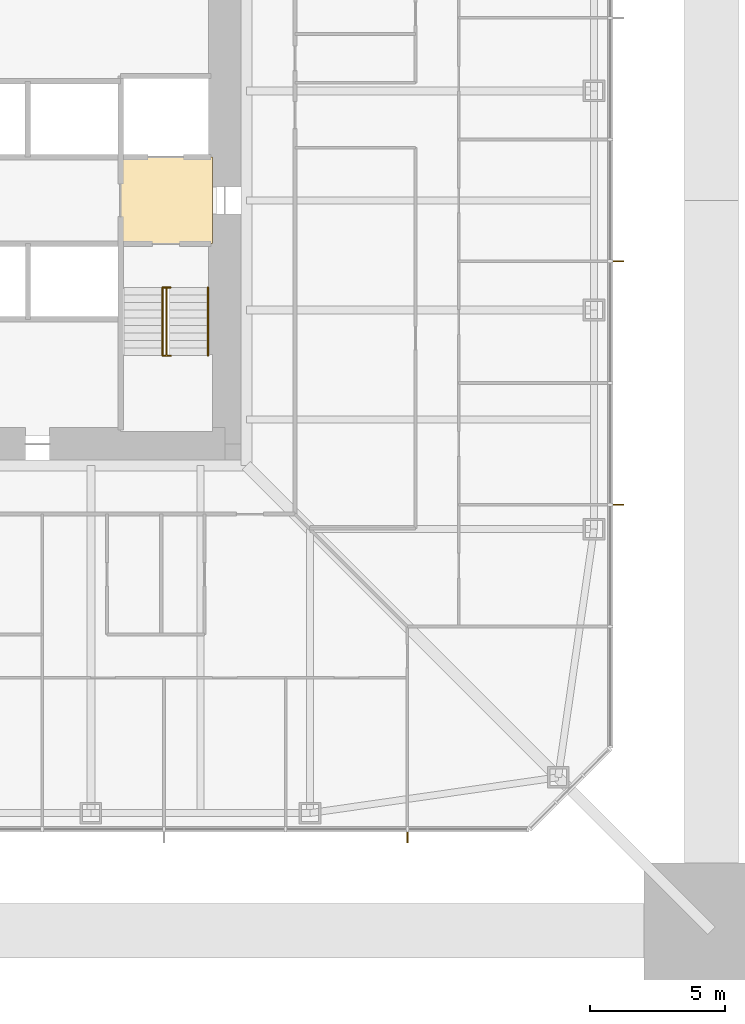
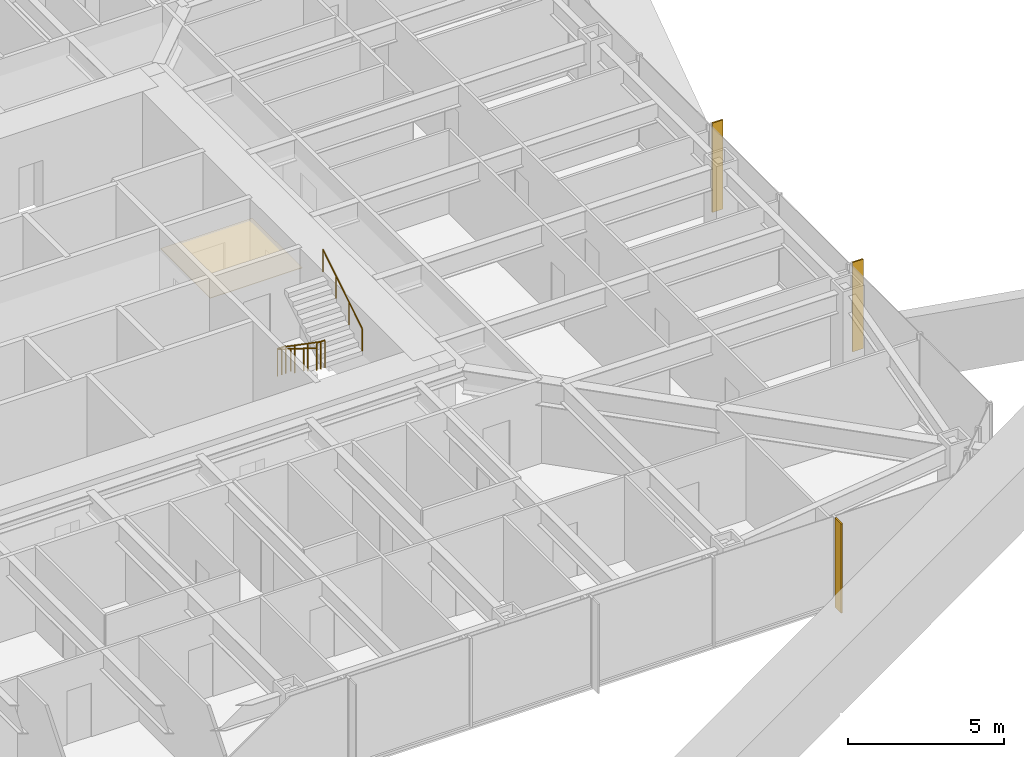
# One storey, part 26 of 28: 3 railings, 3 shading devices, 1 covering.
"""IFC4 building model written with IfcOpenShell, lengths in metres."""

import ifcopenshell
import ifcopenshell.guid

model = None  # the IFC model being written
_history = None  # IfcOwnerHistory: only IFC2X3 demands one
_inside = {}  # id of a spatial element -> (the spatial element, [elements in it])
_under = {}  # id of a project, library or spatial element -> (it, [spatial elements below it])
_declared = {}  # id of a project -> (the project, [libraries it declares])
_typed = {}  # id of a type object -> (the type object, [elements of that type])
_made_of = {}  # id of a material, layer set ... -> (it, [elements and type objects made of it])


def new_model(schema):
    """Start an empty IFC model of exactly this schema.

    Asked for "IFC4X3", IfcOpenShell would pick the latest addendum, in which some entities
    have other attributes; the version numbers below select the first issue.
    IFC2X3 requires an IfcOwnerHistory on every rooted entity: one is made here for all.
    """
    global model, _history
    if schema == "IFC4X3":
        model = ifcopenshell.file(schema_version=(4, 3, 0, 0))
    else:
        model = ifcopenshell.file(schema=schema)
    _inside.clear()
    _under.clear()
    _declared.clear()
    _typed.clear()
    _made_of.clear()
    _history = None
    if model.schema == "IFC2X3":
        org = make("IfcOrganization", Name="unknown")
        user = make(
            "IfcPersonAndOrganization",
            ThePerson=make("IfcPerson", FamilyName="unknown"),
            TheOrganization=org,
        )
        app = make(
            "IfcApplication",
            ApplicationDeveloper=org,
            Version="unknown",
            ApplicationFullName="unknown",
            ApplicationIdentifier="unknown",
        )
        _history = make(
            "IfcOwnerHistory",
            OwningUser=user,
            OwningApplication=app,
            ChangeAction="ADDED",
            CreationDate=0,
        )
    return model


def make(cls, **values):
    """One entity of the class cls with the attributes given. An attribute that is None is left unset."""
    return model.create_entity(
        cls, **{name: value for name, value in values.items() if value is not None}
    )


def rooted(cls, **values):
    """An entity with a GlobalId (a new one), such as an element, a storey or a relation."""
    return make(cls, GlobalId=ifcopenshell.guid.new(), OwnerHistory=_history, **values)


def si_unit(unit_type, name, prefix=None):
    """IfcSIUnit, for example si_unit("LENGTHUNIT", "METRE", prefix="MILLI")."""
    return make("IfcSIUnit", UnitType=unit_type, Prefix=prefix, Name=name)


def assignment(units):
    """IfcUnitAssignment: the units of a project."""
    return None if units is None else make("IfcUnitAssignment", Units=units)


def point(xyz):
    """IfcCartesianPoint."""
    return None if xyz is None else make("IfcCartesianPoint", Coordinates=xyz)


def direction(xyz):
    """IfcDirection."""
    return None if xyz is None else make("IfcDirection", DirectionRatios=xyz)


def frame(location, z_axis=None, x_axis=None):
    """IfcAxis2Placement3D, a coordinate frame: its origin and axes. An axis left out is left unset."""
    return make(
        "IfcAxis2Placement3D",
        Location=point(location),
        Axis=direction(z_axis),
        RefDirection=direction(x_axis),
    )


def frame_2d(location, x_axis=None):
    """IfcAxis2Placement2D, a coordinate frame in the plane: its origin and x axis."""
    return make(
        "IfcAxis2Placement2D", Location=point(location), RefDirection=direction(x_axis)
    )


def origin():
    """The frame at (0, 0, 0) with its axes left unset."""
    return frame((0.0, 0.0, 0.0))


def origin_2d():
    """The frame at (0, 0) in the plane with its x axis left unset."""
    return frame_2d((0.0, 0.0))


def place(relative_to, where):
    """IfcLocalPlacement: puts the frame where relative to a parent placement (None: the world)."""
    return make(
        "IfcLocalPlacement", PlacementRelTo=relative_to, RelativePlacement=where
    )


def context(
    kind, dimensions, precision=None, world=None, true_north=None, identifier=None
):
    """IfcGeometricRepresentationContext, for example the 3D "Model" context."""
    return make(
        "IfcGeometricRepresentationContext",
        ContextIdentifier=identifier,
        ContextType=kind,
        CoordinateSpaceDimension=dimensions,
        Precision=precision,
        WorldCoordinateSystem=world,
        TrueNorth=true_north,
    )


def subcontext(parent, identifier, kind, view, scale=None):
    """IfcGeometricRepresentationSubContext, for example "Body" below "Model"."""
    return make(
        "IfcGeometricRepresentationSubContext",
        ContextIdentifier=identifier,
        ContextType=kind,
        ParentContext=parent,
        TargetScale=scale,
        TargetView=view,
    )


def project(units=None, contexts=None):
    """IfcProject with its units and contexts."""
    return rooted(
        "IfcProject",
        Name="project",
        RepresentationContexts=contexts,
        UnitsInContext=assignment(units),
    )


def spatial(cls, under=None, at=None, **own):
    """A site, building, storey or space (cls), placed at a placement, below another one or the project."""
    s = rooted(cls, ObjectPlacement=at, **own)
    if under is not None:
        _under.setdefault(under.id(), (under, []))[1].append(s)
    return s


def polyline(points):
    """IfcPolyline through the points."""
    return make("IfcPolyline", Points=[point(p) for p in points])


def profile(cls, at=None, kind="AREA", **sizes):
    """A parametric profile (cls). Its sizes go by their IFC names, for example OverallWidth=200.0."""
    return make(cls, ProfileType=kind, Position=at, **sizes)


def rectangle(**sizes):
    """IfcRectangleProfileDef."""
    return profile("IfcRectangleProfileDef", **sizes)


def circle(**sizes):
    """IfcCircleProfileDef."""
    return profile("IfcCircleProfileDef", **sizes)


def outline(outer, holes=None, kind="AREA"):
    """IfcArbitraryClosedProfileDef: a profile drawn as a closed curve; with holes, ...WithVoids."""
    if holes is None:
        return make("IfcArbitraryClosedProfileDef", ProfileType=kind, OuterCurve=outer)
    return make(
        "IfcArbitraryProfileDefWithVoids",
        ProfileType=kind,
        OuterCurve=outer,
        InnerCurves=holes,
    )


def extrude(swept, where, along, depth):
    """IfcExtrudedAreaSolid: the profile swept, set in the frame where, extruded along a direction by depth."""
    return make(
        "IfcExtrudedAreaSolid",
        SweptArea=swept,
        Position=where,
        ExtrudedDirection=direction(along),
        Depth=depth,
    )


def shape(context_of_items, identifier, shape_type, items):
    """IfcShapeRepresentation: the items that make up one representation, for example the "Body"."""
    return make(
        "IfcShapeRepresentation",
        ContextOfItems=context_of_items,
        RepresentationIdentifier=identifier,
        RepresentationType=shape_type,
        Items=items,
    )


def material(Name=None, Category=None):
    """IfcMaterial."""
    return make("IfcMaterial", Name=Name, Category=Category)


def layer(
    of_material, thickness, ventilated=None, Name=None, Category=None, Priority=None
):
    """IfcMaterialLayer: one layer of a wall or slab, of a material (None: an air gap)."""
    return make(
        "IfcMaterialLayer",
        Material=of_material,
        LayerThickness=thickness,
        IsVentilated=ventilated,
        Name=Name,
        Category=Category,
        Priority=Priority,
    )


def layer_set(layers, Name=None):
    """IfcMaterialLayerSet."""
    return make("IfcMaterialLayerSet", MaterialLayers=layers, LayerSetName=Name)


def constituent(of_material, Name=None, Category=None, fraction=None):
    """IfcMaterialConstituent: one of the materials an element consists of."""
    return make(
        "IfcMaterialConstituent",
        Name=Name,
        Material=of_material,
        Fraction=fraction,
        Category=Category,
    )


def constituent_set(constituents=None, Name=None):
    """IfcMaterialConstituentSet."""
    return make(
        "IfcMaterialConstituentSet", Name=Name, MaterialConstituents=constituents
    )


def made_of(thing, what):
    """Note that an element or type object is made of a material, layer set ...; save() writes the relation."""
    if what is not None:
        _made_of.setdefault(what.id(), (what, []))[1].append(thing)
    return thing


def type_object(cls, material=None, **own):
    """A type object (cls), such as IfcWallType, which elements share."""
    return made_of(rooted(cls, **own), material)


def element(
    cls,
    number,
    at=None,
    inside=None,
    cuts=None,
    type_object=None,
    material=None,
    context=None,
    identifier="Body",
    shape_type=None,
    held_by="IfcProductDefinitionShape",
    body=None,
    shapes=None,
    **own,
):
    """One element of the class cls, such as IfcWall. Its Tag is "e" and its number.

    at: its placement. inside: the storey or other place that contains it. cuts: it is an
    opening in that element (IfcRelVoidsElement). A single representation is given by context,
    identifier, shape_type and body (its items); several are given by shapes. held_by: the class
    of the entity that holds the representations. save() writes the other relations.
    """
    e = rooted(cls, Tag="e%d" % number, ObjectPlacement=at, **own)
    if body is not None:
        shapes = [shape(context, identifier, shape_type, body)]
    if shapes is not None:
        e.Representation = make(held_by, Representations=shapes)
    if inside is not None:
        _inside.setdefault(inside.id(), (inside, []))[1].append(e)
    if cuts is not None:
        rooted(
            "IfcRelVoidsElement", RelatingBuildingElement=cuts, RelatedOpeningElement=e
        )
    if type_object is not None:
        _typed.setdefault(type_object.id(), (type_object, []))[1].append(e)
    return made_of(e, material)


def aggregate(whole, parts):
    """IfcRelAggregates: a whole, such as a stair, and the parts it consists of."""
    return rooted("IfcRelAggregates", RelatingObject=whole, RelatedObjects=parts)


def save(model, path):
    """Write the relations noted so far, then the file.

    IfcRelAggregates (storeys below a building ...), IfcRelContainedInSpatialStructure (elements
    in a storey), IfcRelDefinesByType, IfcRelAssociatesMaterial and IfcRelDeclares: one each for
    every whole, place, type object, material and project.
    """
    for whole, parts in _under.values():
        aggregate(whole, parts)
    for where, things in _inside.values():
        rooted(
            "IfcRelContainedInSpatialStructure",
            RelatedElements=things,
            RelatingStructure=where,
        )
    for kind, things in _typed.values():
        rooted("IfcRelDefinesByType", RelatedObjects=things, RelatingType=kind)
    for what, things in _made_of.values():
        rooted("IfcRelAssociatesMaterial", RelatedObjects=things, RelatingMaterial=what)
    for by, libraries in _declared.values():
        rooted("IfcRelDeclares", RelatingContext=by, RelatedDefinitions=libraries)
    model.write(path)


model = new_model("IFC4")

# Units and contexts
model_context = context("Model", 3, precision=1e-05, world=origin(), true_north=direction((0.0, 1.0)))
body_context = subcontext(model_context, "Body", "Model", "MODEL_VIEW")
ifc_project = project(units=[si_unit("LENGTHUNIT", "METRE"), si_unit("AREAUNIT", "SQUARE_METRE"), si_unit("VOLUMEUNIT", "CUBIC_METRE"), si_unit("PLANEANGLEUNIT", "RADIAN"), si_unit("MASSUNIT", "GRAM", prefix="KILO")], contexts=[model_context])

# Site, building, storey
site_placement = place(None, origin())
site = spatial("IfcSite", under=ifc_project, at=site_placement, CompositionType="ELEMENT")
building_placement = place(site_placement, origin())
building = spatial("IfcBuilding", under=site, at=building_placement, Name="Iwan Alto Co-Living Towers", CompositionType="ELEMENT")
storey_placement = place(building_placement, frame((0.0, 0.0, 64.0)))
storey = spatial("IfcBuildingStorey", under=building, at=storey_placement, Name="L17", CompositionType="ELEMENT", Elevation=64.0)

# Covering
ifc_material_1 = material(Name="Mineral fibre acoustic tiles on steel grid", Category="steel")
ifc_layer_1 = layer(ifc_material_1, 0.02001953125)
ifc_layer_set_1 = layer_set([ifc_layer_1], Name="ACOUSTIC TILE CEILING 20")
covering_type = type_object("IfcCoveringType", Name="ACOUSTIC TILE CEILING 20", PredefinedType="CEILING", material=ifc_layer_set_1)
covering_placement = place(storey_placement, frame((0.0, 0.0, 2.60009765625)))
element("IfcCovering", 1, at=covering_placement, inside=storey, type_object=covering_type, Name="Ceiling Firefighting lobby L17", PredefinedType="CEILING", context=body_context, shape_type="SweptSolid", body=[
    extrude(outline(polyline([(5.14990234375, -1.60009765625), (5.14990234375, 1.60009765625), (8.550048828125, 1.60009765625), (8.550048828125, -1.60009765625), (5.14990234375, -1.60009765625)])), origin(), (0.0, 0.0, 1.0), 0.02001953125),
])

# Shading devices
ifc_material_2 = material(Name="Aluminium 6063-T6 bronze anodised", Category="aluminium")
ifc_layer_2 = layer(ifc_material_2, 0.050048828125)
ifc_layer_set_2 = layer_set([ifc_layer_2], Name="BRONZE FIN 50X400")
shading_device_type = type_object("IfcShadingDeviceType", Name="BRONZE FIN 50X400", PredefinedType="USERDEFINED", material=ifc_layer_set_2)
for number, where, z_axis, x_axis, name in (
    (2, (15.75, -23.550048828125, 0.0), (0.0, 0.0, 1.0), (1.0, 0.0, 0.0), "Bronze fin L17"),
    (3, (23.550048828125, -11.25, 0.0), (0.0, 0.0, 1.0), (0.0, 1.0, 0.0), "Bronze fin L17"),
    (4, (23.550048828125, -2.25, 0.0), (0.0, 0.0, 1.0), (0.0, 1.0, 0.0), "Bronze fin L17"),
):
    element("IfcShadingDevice", number, at=place(storey_placement, frame(where, z_axis=z_axis, x_axis=x_axis)), inside=storey, type_object=shading_device_type, Name=name, ObjectType="LOUVER", PredefinedType="USERDEFINED", context=body_context, shape_type="SweptSolid", body=[
        extrude(rectangle(XDim=0.050048828125, YDim=0.39990234375, at=origin_2d()), origin(), (0.0, 0.0, 1.0), 3.5),
    ])

# Railings
ifc_material_3 = material(Name="Steel ASTM A500 Gr C", Category="steel")
ifc_constituent_1 = constituent(ifc_material_3, Name="Rails and posts", Category="Framing")
ifc_material_4 = material(Name="Steel ASTM A36", Category="steel")
ifc_constituent_2 = constituent(ifc_material_4, Name="Bar infill", Category="Infill")
ifc_constituent_set = constituent_set(constituents=[ifc_constituent_1, ifc_constituent_2], Name="STAIR GUARD 1100")
railing_type_1 = type_object("IfcRailingType", Name="STAIR GUARD 1100", PredefinedType="GUARDRAIL", material=ifc_constituent_set)
railing_1_placement = place(storey_placement, frame((6.85009765625, -3.219970703125, 0.0)))
element("IfcRailing", 5, at=railing_1_placement, inside=storey, type_object=railing_type_1, Name="Stair T1-S2 well guard L17", PredefinedType="GUARDRAIL", context=body_context, shape_type="SweptSolid", body=[
    extrude(circle(Radius=0.02392578125, at=origin_2d()), frame((0.0, 0.0, 1.076171875), z_axis=(0.0, -0.821372036852, 0.570392826987), x_axis=(1.0, 0.0, 0.0)), (0.0, 0.0, 1.0), 3.068115234375),
    extrude(circle(Radius=0.02392578125, at=origin_2d()), frame((-0.150146484375, 0.0, 1.076171875), z_axis=(1.0, 0.0, 0.0), x_axis=(0.0, 1.0, 0.0)), (0.0, 0.0, 1.0), 0.300048828125),
    extrude(circle(Radius=0.02392578125, at=origin_2d()), frame((-0.150146484375, -2.52001953125, 2.826171875), z_axis=(1.0, 0.0, 0.0), x_axis=(0.0, 1.0, 0.0)), (0.0, 0.0, 1.0), 0.300048828125),
    extrude(circle(Radius=0.02099609375, at=origin_2d()), origin(), (0.0, 0.0, 1.0), 1.052001953125),
    extrude(circle(Radius=0.02099609375, at=origin_2d()), frame((0.0, -0.840087890625, 0.583251953125)), (0.0, 0.0, 1.0), 1.052001953125),
    extrude(circle(Radius=0.02099609375, at=origin_2d()), frame((0.0, -1.679931640625, 1.166748046875)), (0.0, 0.0, 1.0), 1.052001953125),
    extrude(circle(Radius=0.02099609375, at=origin_2d()), frame((0.0, -2.52001953125, 1.75)), (0.0, 0.0, 1.0), 1.052001953125),
    extrude(circle(Radius=0.02099609375, at=origin_2d()), frame((-0.150146484375, 0.0, 0.0)), (0.0, 0.0, 1.0), 1.052001953125),
    extrude(circle(Radius=0.02099609375, at=origin_2d()), frame((0.14990234375, 0.0, 0.0)), (0.0, 0.0, 1.0), 1.052001953125),
    extrude(circle(Radius=0.02099609375, at=origin_2d()), frame((-0.150146484375, -2.52001953125, 1.75)), (0.0, 0.0, 1.0), 1.052001953125),
    extrude(circle(Radius=0.02099609375, at=origin_2d()), frame((0.14990234375, -2.52001953125, 1.75)), (0.0, 0.0, 1.0), 1.052001953125),
])
ifc_material_5 = material(Name="Steel ASTM A500 Gr C", Category="steel")
railing_type_2 = type_object("IfcRailingType", Name="STAIR HANDRAIL 900", PredefinedType="HANDRAIL", material=ifc_material_5)
railing_2_placement = place(storey_placement, frame((6.699951171875, -3.219970703125, 0.175048828125)))
element("IfcRailing", 6, at=railing_2_placement, inside=storey, type_object=railing_type_2, Name="Stair T1-S2 handrail 1 L17", PredefinedType="HANDRAIL", context=body_context, shape_type="SweptSolid", body=[
    extrude(circle(Radius=0.02392578125, at=origin_2d()), frame((0.0, 0.0, 0.8759765625), z_axis=(0.0, -0.848007534815, 0.529984170421), x_axis=(1.0, 0.0, 0.0)), (0.0, 0.0, 1.0), 2.9716796875),
    extrude(circle(Radius=0.02099609375, at=origin_2d()), origin(), (0.0, 0.0, 1.0), 0.851806640625),
    extrude(circle(Radius=0.02099609375, at=origin_2d()), frame((0.0, -0.840087890625, 0.52490234375)), (0.0, 0.0, 1.0), 0.851806640625),
    extrude(circle(Radius=0.02099609375, at=origin_2d()), frame((0.0, -1.679931640625, 1.050048828125)), (0.0, 0.0, 1.0), 0.851806640625),
    extrude(circle(Radius=0.02099609375, at=origin_2d()), frame((0.0, -2.52001953125, 1.574951171875)), (0.0, 0.0, 1.0), 0.851806640625),
])
railing_3_placement = place(storey_placement, frame((8.3798828125, -5.739990234375, 1.925048828125)))
element("IfcRailing", 7, at=railing_3_placement, inside=storey, type_object=railing_type_2, Name="Stair T1-S2 handrail 2 L17", PredefinedType="HANDRAIL", context=body_context, shape_type="SweptSolid", body=[
    extrude(circle(Radius=0.02392578125, at=origin_2d()), frame((0.0, 0.0, 0.8759765625), z_axis=(0.0, 0.848007534815, 0.529984170421), x_axis=(-1.0, 0.0, 0.0)), (0.0, 0.0, 1.0), 2.9716796875),
    extrude(circle(Radius=0.02099609375, at=origin_2d()), origin(), (0.0, 0.0, 1.0), 0.851806640625),
    extrude(circle(Radius=0.02099609375, at=origin_2d()), frame((0.0, 0.840087890625, 0.52490234375)), (0.0, 0.0, 1.0), 0.851806640625),
    extrude(circle(Radius=0.02099609375, at=origin_2d()), frame((0.0, 1.679931640625, 1.050048828125)), (0.0, 0.0, 1.0), 0.851806640625),
    extrude(circle(Radius=0.02099609375, at=origin_2d()), frame((0.0, 2.52001953125, 1.574951171875)), (0.0, 0.0, 1.0), 0.851806640625),
])

save(model, "model.ifc")
